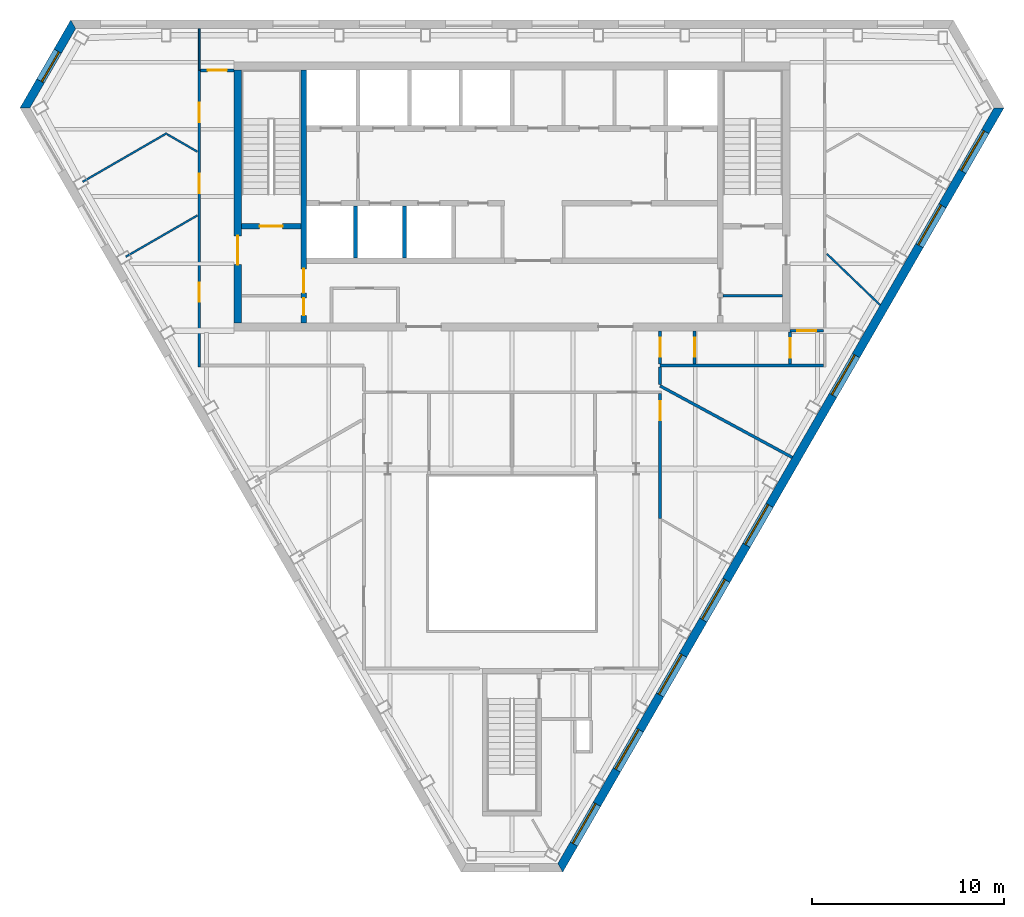
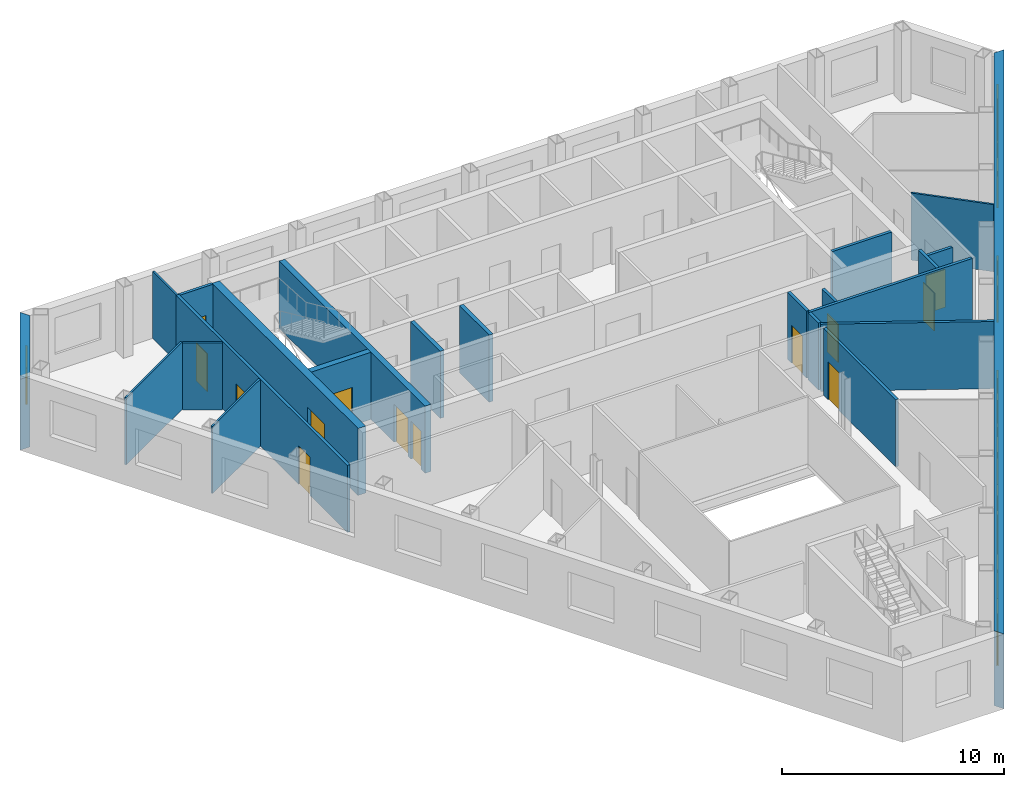
# One storey, part 5 of 10: 23 walls, 13 doors, 9 windows, 22 openings.
"""IFC4 building model written with IfcOpenShell, lengths in metres."""

import ifcopenshell
import ifcopenshell.guid

model = None  # the IFC model being written
_history = None  # IfcOwnerHistory: only IFC2X3 demands one
_inside = {}  # id of a spatial element -> (the spatial element, [elements in it])
_under = {}  # id of a project, library or spatial element -> (it, [spatial elements below it])
_declared = {}  # id of a project -> (the project, [libraries it declares])
_typed = {}  # id of a type object -> (the type object, [elements of that type])
_made_of = {}  # id of a material, layer set ... -> (it, [elements and type objects made of it])


def new_model(schema):
    """Start an empty IFC model of exactly this schema.

    Asked for "IFC4X3", IfcOpenShell would pick the latest addendum, in which some entities
    have other attributes; the version numbers below select the first issue.
    IFC2X3 requires an IfcOwnerHistory on every rooted entity: one is made here for all.
    """
    global model, _history
    if schema == "IFC4X3":
        model = ifcopenshell.file(schema_version=(4, 3, 0, 0))
    else:
        model = ifcopenshell.file(schema=schema)
    _inside.clear()
    _under.clear()
    _declared.clear()
    _typed.clear()
    _made_of.clear()
    _history = None
    if model.schema == "IFC2X3":
        org = make("IfcOrganization", Name="unknown")
        user = make(
            "IfcPersonAndOrganization",
            ThePerson=make("IfcPerson", FamilyName="unknown"),
            TheOrganization=org,
        )
        app = make(
            "IfcApplication",
            ApplicationDeveloper=org,
            Version="unknown",
            ApplicationFullName="unknown",
            ApplicationIdentifier="unknown",
        )
        _history = make(
            "IfcOwnerHistory",
            OwningUser=user,
            OwningApplication=app,
            ChangeAction="ADDED",
            CreationDate=0,
        )
    return model


def make(cls, **values):
    """One entity of the class cls with the attributes given. An attribute that is None is left unset."""
    return model.create_entity(
        cls, **{name: value for name, value in values.items() if value is not None}
    )


def rooted(cls, **values):
    """An entity with a GlobalId (a new one), such as an element, a storey or a relation."""
    return make(cls, GlobalId=ifcopenshell.guid.new(), OwnerHistory=_history, **values)


def si_unit(unit_type, name, prefix=None):
    """IfcSIUnit, for example si_unit("LENGTHUNIT", "METRE", prefix="MILLI")."""
    return make("IfcSIUnit", UnitType=unit_type, Prefix=prefix, Name=name)


def assignment(units):
    """IfcUnitAssignment: the units of a project."""
    return None if units is None else make("IfcUnitAssignment", Units=units)


def point(xyz):
    """IfcCartesianPoint."""
    return None if xyz is None else make("IfcCartesianPoint", Coordinates=xyz)


def direction(xyz):
    """IfcDirection."""
    return None if xyz is None else make("IfcDirection", DirectionRatios=xyz)


def frame(location, z_axis=None, x_axis=None):
    """IfcAxis2Placement3D, a coordinate frame: its origin and axes. An axis left out is left unset."""
    return make(
        "IfcAxis2Placement3D",
        Location=point(location),
        Axis=direction(z_axis),
        RefDirection=direction(x_axis),
    )


def frame_2d(location, x_axis=None):
    """IfcAxis2Placement2D, a coordinate frame in the plane: its origin and x axis."""
    return make(
        "IfcAxis2Placement2D", Location=point(location), RefDirection=direction(x_axis)
    )


def origin():
    """The frame at (0, 0, 0) with its axes left unset."""
    return frame((0.0, 0.0, 0.0))


def place(relative_to, where):
    """IfcLocalPlacement: puts the frame where relative to a parent placement (None: the world)."""
    return make(
        "IfcLocalPlacement", PlacementRelTo=relative_to, RelativePlacement=where
    )


def context(
    kind, dimensions, precision=None, world=None, true_north=None, identifier=None
):
    """IfcGeometricRepresentationContext, for example the 3D "Model" context."""
    return make(
        "IfcGeometricRepresentationContext",
        ContextIdentifier=identifier,
        ContextType=kind,
        CoordinateSpaceDimension=dimensions,
        Precision=precision,
        WorldCoordinateSystem=world,
        TrueNorth=true_north,
    )


def subcontext(parent, identifier, kind, view, scale=None):
    """IfcGeometricRepresentationSubContext, for example "Body" below "Model"."""
    return make(
        "IfcGeometricRepresentationSubContext",
        ContextIdentifier=identifier,
        ContextType=kind,
        ParentContext=parent,
        TargetScale=scale,
        TargetView=view,
    )


def project(units=None, contexts=None):
    """IfcProject with its units and contexts."""
    return rooted(
        "IfcProject",
        Name="project",
        RepresentationContexts=contexts,
        UnitsInContext=assignment(units),
    )


def spatial(cls, under=None, at=None, **own):
    """A site, building, storey or space (cls), placed at a placement, below another one or the project."""
    s = rooted(cls, ObjectPlacement=at, **own)
    if under is not None:
        _under.setdefault(under.id(), (under, []))[1].append(s)
    return s


def polyline(points):
    """IfcPolyline through the points."""
    return make("IfcPolyline", Points=[point(p) for p in points])


def profile(cls, at=None, kind="AREA", **sizes):
    """A parametric profile (cls). Its sizes go by their IFC names, for example OverallWidth=200.0."""
    return make(cls, ProfileType=kind, Position=at, **sizes)


def rectangle(**sizes):
    """IfcRectangleProfileDef."""
    return profile("IfcRectangleProfileDef", **sizes)


def outline(outer, holes=None, kind="AREA"):
    """IfcArbitraryClosedProfileDef: a profile drawn as a closed curve; with holes, ...WithVoids."""
    if holes is None:
        return make("IfcArbitraryClosedProfileDef", ProfileType=kind, OuterCurve=outer)
    return make(
        "IfcArbitraryProfileDefWithVoids",
        ProfileType=kind,
        OuterCurve=outer,
        InnerCurves=holes,
    )


def extrude(swept, where, along, depth):
    """IfcExtrudedAreaSolid: the profile swept, set in the frame where, extruded along a direction by depth."""
    return make(
        "IfcExtrudedAreaSolid",
        SweptArea=swept,
        Position=where,
        ExtrudedDirection=direction(along),
        Depth=depth,
    )


def shape(context_of_items, identifier, shape_type, items):
    """IfcShapeRepresentation: the items that make up one representation, for example the "Body"."""
    return make(
        "IfcShapeRepresentation",
        ContextOfItems=context_of_items,
        RepresentationIdentifier=identifier,
        RepresentationType=shape_type,
        Items=items,
    )


def material(Name=None, Category=None):
    """IfcMaterial."""
    return make("IfcMaterial", Name=Name, Category=Category)


def layer(
    of_material, thickness, ventilated=None, Name=None, Category=None, Priority=None
):
    """IfcMaterialLayer: one layer of a wall or slab, of a material (None: an air gap)."""
    return make(
        "IfcMaterialLayer",
        Material=of_material,
        LayerThickness=thickness,
        IsVentilated=ventilated,
        Name=Name,
        Category=Category,
        Priority=Priority,
    )


def layer_set(layers, Name=None):
    """IfcMaterialLayerSet."""
    return make("IfcMaterialLayerSet", MaterialLayers=layers, LayerSetName=Name)


def made_of(thing, what):
    """Note that an element or type object is made of a material, layer set ...; save() writes the relation."""
    if what is not None:
        _made_of.setdefault(what.id(), (what, []))[1].append(thing)
    return thing


def type_object(cls, material=None, **own):
    """A type object (cls), such as IfcWallType, which elements share."""
    return made_of(rooted(cls, **own), material)


def element(
    cls,
    number,
    at=None,
    inside=None,
    cuts=None,
    type_object=None,
    material=None,
    context=None,
    identifier="Body",
    shape_type=None,
    held_by="IfcProductDefinitionShape",
    body=None,
    shapes=None,
    **own,
):
    """One element of the class cls, such as IfcWall. Its Tag is "e" and its number.

    at: its placement. inside: the storey or other place that contains it. cuts: it is an
    opening in that element (IfcRelVoidsElement). A single representation is given by context,
    identifier, shape_type and body (its items); several are given by shapes. held_by: the class
    of the entity that holds the representations. save() writes the other relations.
    """
    e = rooted(cls, Tag="e%d" % number, ObjectPlacement=at, **own)
    if body is not None:
        shapes = [shape(context, identifier, shape_type, body)]
    if shapes is not None:
        e.Representation = make(held_by, Representations=shapes)
    if inside is not None:
        _inside.setdefault(inside.id(), (inside, []))[1].append(e)
    if cuts is not None:
        rooted(
            "IfcRelVoidsElement", RelatingBuildingElement=cuts, RelatedOpeningElement=e
        )
    if type_object is not None:
        _typed.setdefault(type_object.id(), (type_object, []))[1].append(e)
    return made_of(e, material)


def fill(opening, filler):
    """IfcRelFillsElement: the door or window that sits in an opening."""
    return rooted(
        "IfcRelFillsElement",
        RelatingOpeningElement=opening,
        RelatedBuildingElement=filler,
    )


def aggregate(whole, parts):
    """IfcRelAggregates: a whole, such as a stair, and the parts it consists of."""
    return rooted("IfcRelAggregates", RelatingObject=whole, RelatedObjects=parts)


def save(model, path):
    """Write the relations noted so far, then the file.

    IfcRelAggregates (storeys below a building ...), IfcRelContainedInSpatialStructure (elements
    in a storey), IfcRelDefinesByType, IfcRelAssociatesMaterial and IfcRelDeclares: one each for
    every whole, place, type object, material and project.
    """
    for whole, parts in _under.values():
        aggregate(whole, parts)
    for where, things in _inside.values():
        rooted(
            "IfcRelContainedInSpatialStructure",
            RelatedElements=things,
            RelatingStructure=where,
        )
    for kind, things in _typed.values():
        rooted("IfcRelDefinesByType", RelatedObjects=things, RelatingType=kind)
    for what, things in _made_of.values():
        rooted("IfcRelAssociatesMaterial", RelatedObjects=things, RelatingMaterial=what)
    for by, libraries in _declared.values():
        rooted("IfcRelDeclares", RelatingContext=by, RelatedDefinitions=libraries)
    model.write(path)


model = new_model("IFC4")

# Units and contexts
model_context = context("Model", 3, precision=1e-05, world=origin(), true_north=direction((0.0, 1.0)))
body_context = subcontext(model_context, "Body", "Model", "MODEL_VIEW")
ifc_project = project(units=[si_unit("LENGTHUNIT", "METRE"), si_unit("AREAUNIT", "SQUARE_METRE"), si_unit("VOLUMEUNIT", "CUBIC_METRE"), si_unit("PLANEANGLEUNIT", "RADIAN"), si_unit("MASSUNIT", "GRAM", prefix="KILO")], contexts=[model_context])

# Site, building, storey
site_placement = place(None, origin())
site = spatial("IfcSite", under=ifc_project, at=site_placement, CompositionType="ELEMENT")
building_placement = place(site_placement, origin())
building = spatial("IfcBuilding", under=site, at=building_placement, Name="Njiva Tower", CompositionType="ELEMENT")
storey_placement = place(building_placement, frame((0.0, 0.0, 288.3)))
storey = spatial("IfcBuildingStorey", under=building, at=storey_placement, Name="L66", CompositionType="ELEMENT", Elevation=288.3)

# Wall
ifc_material_1 = material(Name="Blockwork", Category="masonry")
ifc_layer_1 = layer(ifc_material_1, 0.15)
ifc_layer_set_1 = layer_set([ifc_layer_1], Name="Blockwork")
wall_type_1 = type_object("IfcWallType", Name="WT1 Compartment partition 150", PredefinedType="PARTITIONING", material=ifc_layer_set_1)
wall_1_placement = place(storey_placement, frame((11.0, 5.825, 0.0), z_axis=(0.0, 0.0, 1.0), x_axis=(1.0, 0.0, 0.0)))
element("IfcWall", 1, at=wall_1_placement, inside=storey, type_object=wall_type_1, Name="Room wall B", PredefinedType="PARTITIONING", context=body_context, shape_type="SweptSolid", body=[
    extrude(rectangle(XDim=3.1, YDim=0.15, at=frame_2d((1.55, 0.0))), origin(), (0.0, 0.0, 1.0), 3.7),
])

# Wall, openings, doors
ifc_material_2 = material(Name="Concrete C40/50", Category="concrete")
ifc_layer_2 = layer(ifc_material_2, 0.3)
ifc_layer_set_2 = layer_set([ifc_layer_2], Name="Concrete C40/50")
wall_type_2 = type_object("IfcWallType", Name="WT10 Stair enclosure wall 300", PredefinedType="SHEAR", material=ifc_layer_set_2)
wall_2_placement = place(storey_placement, frame((-10.85, 4.4, 0.0), z_axis=(0.0, 0.0, 1.0), x_axis=(0.0, 1.0, 0.0)))
wall_2 = element("IfcWall", 2, at=wall_2_placement, inside=storey, type_object=wall_type_2, Name="Stair wall west inner", PredefinedType="SHEAR", context=body_context, shape_type="SweptSolid", body=[
    extrude(rectangle(XDim=13.2, YDim=0.3, at=frame_2d((6.6, 0.0))), origin(), (0.0, 0.0, 1.0), 3.7),
])
opening_1_placement = place(wall_2_placement, frame((1.575, 0.0, 0.0)))
opening_1 = element("IfcOpeningElement", 3, at=opening_1_placement, cuts=wall_2, Name="Opening S21-D916", PredefinedType="OPENING", context=body_context, shape_type="SweptSolid", body=[
    extrude(rectangle(XDim=1.25, YDim=2.1, at=frame_2d((0.625, 1.05))), frame((0.0, 0.16, 0.0), z_axis=(0.0, -1.0, 0.0), x_axis=(1.0, 0.0, 0.0)), (0.0, 0.0, 1.0), 0.32),
])
opening_2_placement = place(wall_2_placement, frame((0.4, 0.0, 0.0)))
opening_2 = element("IfcOpeningElement", 4, at=opening_2_placement, cuts=wall_2, Name="Opening S21-D918", PredefinedType="OPENING", context=body_context, shape_type="SweptSolid", body=[
    extrude(rectangle(XDim=0.9, YDim=2.1, at=frame_2d((0.45, 1.05))), frame((0.0, 0.16, 0.0), z_axis=(0.0, -1.0, 0.0), x_axis=(1.0, 0.0, 0.0)), (0.0, 0.0, 1.0), 0.32),
])
ifc_material_3 = material(Name="Steel door, painted", Category="steel")
door_type_1 = type_object("IfcDoorType", Name="D13 Steel door 900x2100", OperationType="SINGLE_SWING_LEFT", PredefinedType="DOOR", material=ifc_material_3)
door_1_placement = place(opening_2_placement, origin())
door_1 = element("IfcDoor", 5, at=door_1_placement, inside=storey, type_object=door_type_1, Name="Quiet room door", OperationType="SINGLE_SWING_RIGHT", OverallHeight=2.1, OverallWidth=0.9, PredefinedType="DOOR", context=body_context, shape_type="SweptSolid", body=[
    extrude(rectangle(XDim=0.9, YDim=2.1, at=frame_2d((0.45, 1.05))), frame((0.0, 0.025, 0.0), z_axis=(0.0, -1.0, 0.0), x_axis=(1.0, 0.0, 0.0)), (0.0, 0.0, 1.0), 0.05),
])
fill(opening_2, door_1)
ifc_material_4 = material(Name="Glazed steel fire door", Category="steel")
door_type_2 = type_object("IfcDoorType", Name="D8 Vestibule corridor door 1250x2100 glazed", OperationType="SINGLE_SWING_LEFT", PredefinedType="DOOR", material=ifc_material_4)
door_2_placement = place(opening_1_placement, origin())
door_2 = element("IfcDoor", 6, at=door_2_placement, inside=storey, type_object=door_type_2, Name="Stair vestibule corridor door", OperationType="SINGLE_SWING_LEFT", OverallHeight=2.1, OverallWidth=1.25, PredefinedType="DOOR", context=body_context, shape_type="SweptSolid", body=[
    extrude(rectangle(XDim=1.25, YDim=2.1, at=frame_2d((0.625, 1.05))), frame((0.0, 0.025, 0.0), z_axis=(0.0, -1.0, 0.0), x_axis=(1.0, 0.0, 0.0)), (0.0, 0.0, 1.0), 0.05),
])
fill(opening_1, door_2)

# Wall, opening, door
wall_3_placement = place(storey_placement, frame((-14.1, 9.45, 0.0), z_axis=(0.0, 0.0, 1.0), x_axis=(1.0, 0.0, 0.0)))
wall_3 = element("IfcWall", 7, at=wall_3_placement, inside=storey, type_object=wall_type_2, Name="Stair A south wall", PredefinedType="SHEAR", context=body_context, shape_type="SweptSolid", body=[
    extrude(rectangle(XDim=3.1, YDim=0.3, at=frame_2d((1.55, 0.0))), origin(), (0.0, 0.0, 1.0), 3.7),
])
opening_3_placement = place(wall_3_placement, frame((0.95, 0.0, 0.0)))
opening_3 = element("IfcOpeningElement", 8, at=opening_3_placement, cuts=wall_3, Name="Opening S21-D915", PredefinedType="OPENING", context=body_context, shape_type="SweptSolid", body=[
    extrude(rectangle(XDim=1.2, YDim=2.1, at=frame_2d((0.6, 1.05))), frame((0.0, 0.16, 0.0), z_axis=(0.0, -1.0, 0.0), x_axis=(1.0, 0.0, 0.0)), (0.0, 0.0, 1.0), 0.32),
])
door_type_3 = type_object("IfcDoorType", Name="D7 Stair vestibule door 1200x2100 glazed", OperationType="SINGLE_SWING_LEFT", PredefinedType="DOOR", material=ifc_material_4)
door_3_placement = place(opening_3_placement, origin())
door_3 = element("IfcDoor", 9, at=door_3_placement, inside=storey, type_object=door_type_3, Name="Stair A door", OperationType="SINGLE_SWING_LEFT", OverallHeight=2.1, OverallWidth=1.2, PredefinedType="DOOR", context=body_context, shape_type="SweptSolid", body=[
    extrude(rectangle(XDim=1.2, YDim=2.1, at=frame_2d((0.6, 1.05))), frame((0.0, 0.025, 0.0), z_axis=(0.0, -1.0, 0.0), x_axis=(1.0, 0.0, 0.0)), (0.0, 0.0, 1.0), 0.05),
])
fill(opening_3, door_3)

ifc_material_5 = material(Name="Concrete C60/75", Category="concrete")
ifc_layer_3 = layer(ifc_material_5, 0.4)
ifc_layer_set_3 = layer_set([ifc_layer_3], Name="Concrete C60/75")
wall_type_3 = type_object("IfcWallType", Name="WT11 Core wall 400", PredefinedType="SHEAR", material=ifc_layer_set_3)
wall_4_placement = place(storey_placement, frame((-14.3, 4.4, 0.0), z_axis=(0.0, 0.0, 1.0), x_axis=(0.0, 1.0, 0.0)))
wall_4 = element("IfcWall", 10, at=wall_4_placement, inside=storey, type_object=wall_type_3, Name="Core wall west", PredefinedType="SHEAR", context=body_context, shape_type="SweptSolid", body=[
    extrude(rectangle(XDim=13.2, YDim=0.4, at=frame_2d((6.6, 0.0))), origin(), (0.0, 0.0, 1.0), 3.7),
])
opening_4_placement = place(wall_4_placement, frame((3.05, 0.0, 0.0)))
opening_4 = element("IfcOpeningElement", 11, at=opening_4_placement, cuts=wall_4, Name="Opening S21-D917", PredefinedType="OPENING", context=body_context, shape_type="SweptSolid", body=[
    extrude(rectangle(XDim=1.5, YDim=2.1, at=frame_2d((0.75, 1.05))), frame((0.0, 0.21, 0.0), z_axis=(0.0, -1.0, 0.0), x_axis=(1.0, 0.0, 0.0)), (0.0, 0.0, 1.0), 0.42),
])
door_type_4 = type_object("IfcDoorType", Name="D10 Exit door double 1500x2100 glazed", OperationType="DOUBLE_DOOR_SINGLE_SWING", PredefinedType="DOOR", material=ifc_material_4)
door_4_placement = place(opening_4_placement, origin())
door_4 = element("IfcDoor", 12, at=door_4_placement, inside=storey, type_object=door_type_4, Name="Stair A corridor door", OperationType="DOUBLE_DOOR_SINGLE_SWING", OverallHeight=2.1, OverallWidth=1.5, PredefinedType="DOOR", context=body_context, shape_type="SweptSolid", body=[
    extrude(rectangle(XDim=1.5, YDim=2.1, at=frame_2d((0.75, 1.05))), frame((0.0, 0.025, 0.0), z_axis=(0.0, -1.0, 0.0), x_axis=(1.0, 0.0, 0.0)), (0.0, 0.0, 1.0), 0.05),
])
fill(opening_4, door_4)

# Walls
ifc_material_6 = material(Name="Gypsum board on steel studs", Category="gypsum")
ifc_layer_4 = layer(ifc_material_6, 0.1)
ifc_layer_set_4 = layer_set([ifc_layer_4], Name="Gypsum board on steel studs")
wall_type_4 = type_object("IfcWallType", Name="WT20 Gypsum partition 100", PredefinedType="PARTITIONING", material=ifc_layer_set_4)
wall_5_placement = place(storey_placement, frame((-22.381, 11.765, 0.0), z_axis=(0.0, 0.0, 1.0), x_axis=(0.86601491352, 0.500018169231, 0.0)))
element("IfcWall", 13, at=wall_5_placement, inside=storey, type_object=wall_type_4, Name="Partition S21-P001", PredefinedType="PARTITIONING", context=body_context, shape_type="SweptSolid", body=[
    extrude(rectangle(XDim=5.0738, YDim=0.1, at=frame_2d((2.5369, 0.0))), origin(), (0.0, 0.0, 1.0), 3.7),
])
wall_6_placement = place(storey_placement, frame((-20.127, 7.862, 0.0), z_axis=(0.0, 0.0, 1.0), x_axis=(0.866104329613, 0.499863271531, 0.0)))
element("IfcWall", 14, at=wall_6_placement, inside=storey, type_object=wall_type_4, Name="Partition S21-P002", PredefinedType="PARTITIONING", context=body_context, shape_type="SweptSolid", body=[
    extrude(rectangle(XDim=4.3032, YDim=0.1, at=frame_2d((2.1516, 0.0))), origin(), (0.0, 0.0, 1.0), 3.7),
])
wall_7_placement = place(storey_placement, frame((-17.971, 14.243, 0.0), z_axis=(0.0, 0.0, 1.0), x_axis=(0.86602952684, -0.49999285859, 0.0)))
element("IfcWall", 15, at=wall_7_placement, inside=storey, type_object=wall_type_4, Name="Partition S21-P003", PredefinedType="PARTITIONING", context=body_context, shape_type="SweptSolid", body=[
    extrude(rectangle(XDim=1.814, YDim=0.1, at=frame_2d((0.907, 0.0))), origin(), (0.0, 0.0, 1.0), 3.7),
])
wall_8_placement = place(storey_placement, frame((-16.3, 17.588, 0.0), z_axis=(0.0, 0.0, 1.0), x_axis=(0.0, 1.0, 0.0)))
element("IfcWall", 16, at=wall_8_placement, inside=storey, type_object=wall_type_4, Name="Partition S21-P005", PredefinedType="PARTITIONING", context=body_context, shape_type="SweptSolid", body=[
    extrude(rectangle(XDim=2.162, YDim=0.1, at=frame_2d((1.081, 0.0))), origin(), (0.0, 0.0, 1.0), 3.7),
])
wall_9_placement = place(storey_placement, frame((16.41, 8.012, 0.0), z_axis=(0.0, 0.0, 1.0), x_axis=(0.720972589003, -0.692963581948, 0.0)))
element("IfcWall", 17, at=wall_9_placement, inside=storey, type_object=wall_type_4, Name="Partition S21-P035", PredefinedType="PARTITIONING", context=body_context, shape_type="SweptSolid", body=[
    extrude(rectangle(XDim=3.8559, YDim=0.1, at=frame_2d((1.928, 0.0))), origin(), (0.0, 0.0, 1.0), 3.7),
])

# Wall, openings, doors
ifc_layer_5 = layer(ifc_material_6, 0.15)
ifc_layer_set_5 = layer_set([ifc_layer_5], Name="Gypsum board on steel studs")
wall_type_5 = type_object("IfcWallType", Name="WT21 Compartment wall 150", PredefinedType="PARTITIONING", material=ifc_layer_set_5)
wall_10_placement = place(storey_placement, frame((-16.3, 2.125, 0.0), z_axis=(0.0, 0.0, 1.0), x_axis=(0.0, 1.0, 0.0)))
wall_10 = element("IfcWall", 18, at=wall_10_placement, inside=storey, type_object=wall_type_5, Name="Partition S21-P004", PredefinedType="PARTITIONING", context=body_context, shape_type="SweptSolid", body=[
    extrude(rectangle(XDim=15.463, YDim=0.15, at=frame_2d((7.7315, 0.0))), origin(), (0.0, 0.0, 1.0), 3.7),
])
opening_5_placement = place(wall_10_placement, frame((3.385, 0.0, 0.0)))
opening_5 = element("IfcOpeningElement", 19, at=opening_5_placement, cuts=wall_10, Name="Opening S21-D001", PredefinedType="OPENING", context=body_context, shape_type="SweptSolid", body=[
    extrude(rectangle(XDim=1.0, YDim=2.1, at=frame_2d((0.5, 1.05))), frame((0.0, 0.085, 0.0), z_axis=(0.0, -1.0, 0.0), x_axis=(1.0, 0.0, 0.0)), (0.0, 0.0, 1.0), 0.17),
])
opening_6_placement = place(wall_10_placement, frame((9.05, 0.0, 0.0)))
opening_6 = element("IfcOpeningElement", 20, at=opening_6_placement, cuts=wall_10, Name="Opening S21-D002", PredefinedType="OPENING", context=body_context, shape_type="SweptSolid", body=[
    extrude(rectangle(XDim=1.0, YDim=2.1, at=frame_2d((0.5, 1.05))), frame((0.0, 0.085, 0.0), z_axis=(0.0, -1.0, 0.0), x_axis=(1.0, 0.0, 0.0)), (0.0, 0.0, 1.0), 0.17),
])
opening_7_placement = place(wall_10_placement, frame((12.758, 0.0, 0.0)))
opening_7 = element("IfcOpeningElement", 21, at=opening_7_placement, cuts=wall_10, Name="Opening S21-D003", PredefinedType="OPENING", context=body_context, shape_type="SweptSolid", body=[
    extrude(rectangle(XDim=1.0, YDim=2.1, at=frame_2d((0.5, 1.05))), frame((0.0, 0.085, 0.0), z_axis=(0.0, -1.0, 0.0), x_axis=(1.0, 0.0, 0.0)), (0.0, 0.0, 1.0), 0.17),
])
ifc_material_7 = material(Name="Steel fire door set", Category="steel")
door_type_5 = type_object("IfcDoorType", Name="D37 Fire door 1000x2100", OperationType="SINGLE_SWING_LEFT", PredefinedType="DOOR", material=ifc_material_7)
door_5_placement = place(opening_5_placement, origin())
door_5 = element("IfcDoor", 22, at=door_5_placement, inside=storey, type_object=door_type_5, Name="Door S21-D001", OperationType="SINGLE_SWING_RIGHT", OverallHeight=2.1, OverallWidth=1.0, PredefinedType="DOOR", context=body_context, shape_type="SweptSolid", body=[
    extrude(rectangle(XDim=1.0, YDim=2.1, at=frame_2d((0.5, 1.05))), frame((0.0, 0.025, 0.0), z_axis=(0.0, -1.0, 0.0), x_axis=(1.0, 0.0, 0.0)), (0.0, 0.0, 1.0), 0.05),
])
fill(opening_5, door_5)
door_6_placement = place(opening_6_placement, origin())
door_6 = element("IfcDoor", 23, at=door_6_placement, inside=storey, type_object=door_type_5, Name="Door S21-D002", OperationType="SINGLE_SWING_LEFT", OverallHeight=2.1, OverallWidth=1.0, PredefinedType="DOOR", context=body_context, shape_type="SweptSolid", body=[
    extrude(rectangle(XDim=1.0, YDim=2.1, at=frame_2d((0.5, 1.05))), frame((0.0, 0.025, 0.0), z_axis=(0.0, -1.0, 0.0), x_axis=(1.0, 0.0, 0.0)), (0.0, 0.0, 1.0), 0.05),
])
fill(opening_6, door_6)
door_7_placement = place(opening_7_placement, origin())
door_7 = element("IfcDoor", 24, at=door_7_placement, inside=storey, type_object=door_type_5, Name="Door S21-D003", OperationType="SINGLE_SWING_LEFT", OverallHeight=2.1, OverallWidth=1.0, PredefinedType="DOOR", context=body_context, shape_type="SweptSolid", body=[
    extrude(rectangle(XDim=1.0, YDim=2.1, at=frame_2d((0.5, 1.05))), frame((0.0, 0.025, 0.0), z_axis=(0.0, -1.0, 0.0), x_axis=(1.0, 0.0, 0.0)), (0.0, 0.0, 1.0), 0.05),
])
fill(opening_7, door_7)

# Wall, opening, door
wall_11_placement = place(storey_placement, frame((-16.225, 17.576, 0.0), z_axis=(0.0, 0.0, 1.0), x_axis=(1.0, 0.0, 0.0)))
wall_11 = element("IfcWall", 25, at=wall_11_placement, inside=storey, type_object=wall_type_5, Name="Partition S21-P007", PredefinedType="PARTITIONING", context=body_context, shape_type="SweptSolid", body=[
    extrude(rectangle(XDim=1.725, YDim=0.15, at=frame_2d((0.8625, 0.0))), origin(), (0.0, 0.0, 1.0), 3.7),
])
opening_8_placement = place(wall_11_placement, frame((0.363, 0.0, 0.0)))
opening_8 = element("IfcOpeningElement", 26, at=opening_8_placement, cuts=wall_11, Name="Opening S21-D004", PredefinedType="OPENING", context=body_context, shape_type="SweptSolid", body=[
    extrude(rectangle(XDim=1.0, YDim=2.1, at=frame_2d((0.5, 1.05))), frame((0.0, 0.085, 0.0), z_axis=(0.0, -1.0, 0.0), x_axis=(1.0, 0.0, 0.0)), (0.0, 0.0, 1.0), 0.17),
])
door_8_placement = place(opening_8_placement, origin())
door_8 = element("IfcDoor", 27, at=door_8_placement, inside=storey, type_object=door_type_5, Name="Door S21-D004", OperationType="SINGLE_SWING_LEFT", OverallHeight=2.1, OverallWidth=1.0, PredefinedType="DOOR", context=body_context, shape_type="SweptSolid", body=[
    extrude(rectangle(XDim=1.0, YDim=2.1, at=frame_2d((0.5, 1.05))), frame((0.0, 0.025, 0.0), z_axis=(0.0, -1.0, 0.0), x_axis=(1.0, 0.0, 0.0)), (0.0, 0.0, 1.0), 0.05),
])
fill(opening_8, door_8)

# Walls
wall_12_placement = place(storey_placement, frame((7.72, 1.127, 0.0), z_axis=(0.0, 0.0, 1.0), x_axis=(0.879447920674, -0.475995120586, 0.0)))
element("IfcWall", 28, at=wall_12_placement, inside=storey, type_object=wall_type_5, Name="Partition S21-P021", PredefinedType="PARTITIONING", context=body_context, shape_type="SweptSolid", body=[
    extrude(rectangle(XDim=7.8299, YDim=0.15, at=frame_2d((3.915, 0.0))), origin(), (0.0, 0.0, 1.0), 3.7),
])
wall_13_placement = place(storey_placement, frame((7.72, 1.193, 0.0), z_axis=(0.0, 0.0, 1.0), x_axis=(0.0, 1.0, 0.0)))
element("IfcWall", 29, at=wall_13_placement, inside=storey, type_object=wall_type_5, Name="Partition S21-P022", PredefinedType="PARTITIONING", context=body_context, shape_type="SweptSolid", body=[
    extrude(rectangle(XDim=0.932, YDim=0.15, at=frame_2d((0.466, 0.0))), origin(), (0.0, 0.0, 1.0), 3.7),
])
wall_14_placement = place(storey_placement, frame((7.72, 2.2, 0.0), z_axis=(0.0, 0.0, 1.0), x_axis=(1.0, 0.0, 0.0)))
element("IfcWall", 30, at=wall_14_placement, inside=storey, type_object=wall_type_5, Name="Partition S21-P023", PredefinedType="PARTITIONING", context=body_context, shape_type="SweptSolid", body=[
    extrude(rectangle(XDim=8.505, YDim=0.15, at=frame_2d((4.2525, 0.0))), origin(), (0.0, 0.0, 1.0), 3.7),
])

# Wall, opening, door
wall_15_placement = place(storey_placement, frame((7.72, 2.275, 0.0), z_axis=(0.0, 0.0, 1.0), x_axis=(0.0, 1.0, 0.0)))
wall_15 = element("IfcWall", 31, at=wall_15_placement, inside=storey, type_object=wall_type_5, Name="Partition S21-P024", PredefinedType="PARTITIONING", context=body_context, shape_type="SweptSolid", body=[
    extrude(rectangle(XDim=1.725, YDim=0.15, at=frame_2d((0.8625, 0.0))), origin(), (0.0, 0.0, 1.0), 3.7),
])
opening_9_placement = place(wall_15_placement, frame((0.362, 0.0, 0.0)))
opening_9 = element("IfcOpeningElement", 32, at=opening_9_placement, cuts=wall_15, Name="Opening S21-D013", PredefinedType="OPENING", context=body_context, shape_type="SweptSolid", body=[
    extrude(rectangle(XDim=1.0, YDim=2.1, at=frame_2d((0.5, 1.05))), frame((0.0, 0.085, 0.0), z_axis=(0.0, -1.0, 0.0), x_axis=(1.0, 0.0, 0.0)), (0.0, 0.0, 1.0), 0.17),
])
door_9_placement = place(opening_9_placement, origin())
door_9 = element("IfcDoor", 33, at=door_9_placement, inside=storey, type_object=door_type_5, Name="Door S21-D013", OperationType="SINGLE_SWING_LEFT", OverallHeight=2.1, OverallWidth=1.0, PredefinedType="DOOR", context=body_context, shape_type="SweptSolid", body=[
    extrude(rectangle(XDim=1.0, YDim=2.1, at=frame_2d((0.5, 1.05))), frame((0.0, 0.025, 0.0), z_axis=(0.0, -1.0, 0.0), x_axis=(1.0, 0.0, 0.0)), (0.0, 0.0, 1.0), 0.05),
])
fill(opening_9, door_9)

wall_16_placement = place(storey_placement, frame((7.72, 0.725, 0.0), z_axis=(0.0, 0.0, 1.0), x_axis=(0.000153657036, -0.999999988195, 0.0)))
wall_16 = element("IfcWall", 34, at=wall_16_placement, inside=storey, type_object=wall_type_5, Name="Partition S21-P025", PredefinedType="PARTITIONING", context=body_context, shape_type="SweptSolid", body=[
    extrude(rectangle(XDim=6.508, YDim=0.15, at=frame_2d((3.254, 0.0))), origin(), (0.0, 0.0, 1.0), 3.7),
])
opening_10_placement = place(wall_16_placement, frame((0.4, 0.0, 0.0)))
opening_10 = element("IfcOpeningElement", 35, at=opening_10_placement, cuts=wall_16, Name="Opening S21-D014", PredefinedType="OPENING", context=body_context, shape_type="SweptSolid", body=[
    extrude(rectangle(XDim=1.0, YDim=2.1, at=frame_2d((0.5, 1.05))), frame((0.0, 0.085, 0.0), z_axis=(0.0, -1.0, 0.0), x_axis=(1.0, 0.0, 0.0)), (0.0, 0.0, 1.0), 0.17),
])
door_10_placement = place(opening_10_placement, origin())
door_10 = element("IfcDoor", 36, at=door_10_placement, inside=storey, type_object=door_type_5, Name="Door S21-D014", OperationType="SINGLE_SWING_RIGHT", OverallHeight=2.1, OverallWidth=1.0, PredefinedType="DOOR", context=body_context, shape_type="SweptSolid", body=[
    extrude(rectangle(XDim=1.0, YDim=2.1, at=frame_2d((0.5, 1.05))), frame((0.0, 0.025, 0.0), z_axis=(0.0, -1.0, 0.0), x_axis=(1.0, 0.0, 0.0)), (0.0, 0.0, 1.0), 0.05),
])
fill(opening_10, door_10)

wall_17_placement = place(storey_placement, frame((9.52, 2.275, 0.0), z_axis=(0.0, 0.0, 1.0), x_axis=(0.0, 1.0, 0.0)))
wall_17 = element("IfcWall", 37, at=wall_17_placement, inside=storey, type_object=wall_type_5, Name="Partition S21-P028", PredefinedType="PARTITIONING", context=body_context, shape_type="SweptSolid", body=[
    extrude(rectangle(XDim=1.725, YDim=0.15, at=frame_2d((0.8625, 0.0))), origin(), (0.0, 0.0, 1.0), 3.25),
])
opening_11_placement = place(wall_17_placement, frame((0.362, 0.0, 0.0)))
opening_11 = element("IfcOpeningElement", 38, at=opening_11_placement, cuts=wall_17, Name="Opening S21-D015", PredefinedType="OPENING", context=body_context, shape_type="SweptSolid", body=[
    extrude(rectangle(XDim=1.0, YDim=2.1, at=frame_2d((0.5, 1.05))), frame((0.0, 0.085, 0.0), z_axis=(0.0, -1.0, 0.0), x_axis=(1.0, 0.0, 0.0)), (0.0, 0.0, 1.0), 0.17),
])
door_11_placement = place(opening_11_placement, origin())
door_11 = element("IfcDoor", 39, at=door_11_placement, inside=storey, type_object=door_type_5, Name="Door S21-D015", OperationType="SINGLE_SWING_LEFT", OverallHeight=2.1, OverallWidth=1.0, PredefinedType="DOOR", context=body_context, shape_type="SweptSolid", body=[
    extrude(rectangle(XDim=1.0, YDim=2.1, at=frame_2d((0.5, 1.05))), frame((0.0, 0.025, 0.0), z_axis=(0.0, -1.0, 0.0), x_axis=(1.0, 0.0, 0.0)), (0.0, 0.0, 1.0), 0.05),
])
fill(opening_11, door_11)

wall_18_placement = place(storey_placement, frame((14.5, 2.275, 0.0), z_axis=(0.0, 0.0, 1.0), x_axis=(0.0, 1.0, 0.0)))
wall_18 = element("IfcWall", 40, at=wall_18_placement, inside=storey, type_object=wall_type_5, Name="Partition S21-P030", PredefinedType="PARTITIONING", context=body_context, shape_type="SweptSolid", body=[
    extrude(rectangle(XDim=1.65, YDim=0.15, at=frame_2d((0.825, 0.0))), origin(), (0.0, 0.0, 1.0), 3.7),
])
opening_12_placement = place(wall_18_placement, frame((0.325, 0.0, 0.0)))
opening_12 = element("IfcOpeningElement", 41, at=opening_12_placement, cuts=wall_18, Name="Opening S21-D016", PredefinedType="OPENING", context=body_context, shape_type="SweptSolid", body=[
    extrude(rectangle(XDim=1.0, YDim=2.1, at=frame_2d((0.5, 1.05))), frame((0.0, 0.085, 0.0), z_axis=(0.0, -1.0, 0.0), x_axis=(1.0, 0.0, 0.0)), (0.0, 0.0, 1.0), 0.17),
])
door_12_placement = place(opening_12_placement, origin())
door_12 = element("IfcDoor", 42, at=door_12_placement, inside=storey, type_object=door_type_5, Name="Door S21-D016", OperationType="SINGLE_SWING_LEFT", OverallHeight=2.1, OverallWidth=1.0, PredefinedType="DOOR", context=body_context, shape_type="SweptSolid", body=[
    extrude(rectangle(XDim=1.0, YDim=2.1, at=frame_2d((0.5, 1.05))), frame((0.0, 0.025, 0.0), z_axis=(0.0, -1.0, 0.0), x_axis=(1.0, 0.0, 0.0)), (0.0, 0.0, 1.0), 0.05),
])
fill(opening_12, door_12)

wall_19_placement = place(storey_placement, frame((14.5, 4.0, 0.0), z_axis=(0.0, 0.0, 1.0), x_axis=(1.0, 0.0, 0.0)))
wall_19 = element("IfcWall", 43, at=wall_19_placement, inside=storey, type_object=wall_type_5, Name="Partition S21-P031", PredefinedType="PARTITIONING", context=body_context, shape_type="SweptSolid", body=[
    extrude(rectangle(XDim=1.725, YDim=0.15, at=frame_2d((0.8625, 0.0))), origin(), (0.0, 0.0, 1.0), 3.21),
])
opening_13_placement = place(wall_19_placement, frame((0.363, 0.0, 0.0)))
opening_13 = element("IfcOpeningElement", 44, at=opening_13_placement, cuts=wall_19, Name="Opening S21-D017", PredefinedType="OPENING", context=body_context, shape_type="SweptSolid", body=[
    extrude(rectangle(XDim=1.0, YDim=2.1, at=frame_2d((0.5, 1.05))), frame((0.0, 0.085, 0.0), z_axis=(0.0, -1.0, 0.0), x_axis=(1.0, 0.0, 0.0)), (0.0, 0.0, 1.0), 0.17),
])
door_13_placement = place(opening_13_placement, origin())
door_13 = element("IfcDoor", 45, at=door_13_placement, inside=storey, type_object=door_type_5, Name="Door S21-D017", OperationType="SINGLE_SWING_LEFT", OverallHeight=2.1, OverallWidth=1.0, PredefinedType="DOOR", context=body_context, shape_type="SweptSolid", body=[
    extrude(rectangle(XDim=1.0, YDim=2.1, at=frame_2d((0.5, 1.05))), frame((0.0, 0.025, 0.0), z_axis=(0.0, -1.0, 0.0), x_axis=(1.0, 0.0, 0.0)), (0.0, 0.0, 1.0), 0.05),
])
fill(opening_13, door_13)

# Walls
ifc_layer_6 = layer(ifc_material_2, 0.2)
ifc_layer_set_6 = layer_set([ifc_layer_6], Name="Concrete C40/50")
wall_type_6 = type_object("IfcWallType", Name="WT6 Lift shaft wall 200", PredefinedType="SHEAR", material=ifc_layer_set_6)
for number, where, z_axis, x_axis, name in (
    (46, (-8.15, 7.8, 0.0), (0.0, 0.0, 1.0), (0.0, 1.0, 0.0), "Shaft wall CS1"),
    (47, (-5.6, 7.8, 0.0), (0.0, 0.0, 1.0), (0.0, 1.0, 0.0), "Shaft wall CS2"),
):
    element("IfcWall", number, at=place(storey_placement, frame(where, z_axis=z_axis, x_axis=x_axis)), inside=storey, type_object=wall_type_6, Name=name, PredefinedType="SHEAR", context=body_context, shape_type="SweptSolid", body=[
        extrude(rectangle(XDim=2.7, YDim=0.2, at=frame_2d((1.35, 0.0))), origin(), (0.0, 0.0, 1.0), 3.7),
    ])

# Wall, openings, windows
ifc_material_8 = material(Name="Brick masonry", Category="masonry")
ifc_layer_7 = layer(ifc_material_8, 0.45)
ifc_layer_set_7 = layer_set([ifc_layer_7], Name="Brick masonry")
wall_type_7 = type_object("IfcWallType", Name="WT90 Brick pier and spandrel wall 450", PredefinedType="SOLIDWALL", material=ifc_layer_set_7)
wall_20_placement = place(storey_placement, frame((2.5151, -23.9934, -0.4), z_axis=(0.0, 0.0, 1.0), x_axis=(0.500000711659, 0.866024992908, 0.0)))
wall_20 = element("IfcWall", 48, at=wall_20_placement, inside=storey, type_object=wall_type_7, Name="Facade wall SE", PredefinedType="SOLIDWALL", context=body_context, shape_type="SweptSolid", body=[
    extrude(outline(polyline([(-0.1299, -0.225), (45.87, -0.225), (45.6102, 0.225), (0.1299, 0.225), (-0.1299, -0.225)])), origin(), (0.0, 0.0, 1.0), 4.12),
])
opening_14_placement = place(wall_20_placement, frame((1.4242, 0.0, 1.3)))
opening_14 = element("IfcOpeningElement", 49, at=opening_14_placement, cuts=wall_20, Name="Opening S21-W20", PredefinedType="OPENING", context=body_context, shape_type="SweptSolid", body=[
    extrude(rectangle(XDim=2.4, YDim=2.0, at=frame_2d((1.2, 1.0))), frame((0.0, 0.235, 0.0), z_axis=(0.0, -1.0, 0.0), x_axis=(1.0, 0.0, 0.0)), (0.0, 0.0, 1.0), 0.47),
])
opening_15_placement = place(wall_20_placement, frame((5.8934, 0.0, 1.3)))
opening_15 = element("IfcOpeningElement", 50, at=opening_15_placement, cuts=wall_20, Name="Opening S21-W21", PredefinedType="OPENING", context=body_context, shape_type="SweptSolid", body=[
    extrude(rectangle(XDim=2.4, YDim=2.0, at=frame_2d((1.2, 1.0))), frame((0.0, 0.235, 0.0), z_axis=(0.0, -1.0, 0.0), x_axis=(1.0, 0.0, 0.0)), (0.0, 0.0, 1.0), 0.47),
])
opening_16_placement = place(wall_20_placement, frame((10.401, 0.0, 1.3)))
opening_16 = element("IfcOpeningElement", 51, at=opening_16_placement, cuts=wall_20, Name="Opening S21-W22", PredefinedType="OPENING", context=body_context, shape_type="SweptSolid", body=[
    extrude(rectangle(XDim=2.4, YDim=2.0, at=frame_2d((1.2, 1.0))), frame((0.0, 0.235, 0.0), z_axis=(0.0, -1.0, 0.0), x_axis=(1.0, 0.0, 0.0)), (0.0, 0.0, 1.0), 0.47),
])
opening_17_placement = place(wall_20_placement, frame((14.9087, 0.0, 1.3)))
opening_17 = element("IfcOpeningElement", 52, at=opening_17_placement, cuts=wall_20, Name="Opening S21-W23", PredefinedType="OPENING", context=body_context, shape_type="SweptSolid", body=[
    extrude(rectangle(XDim=2.4, YDim=2.0, at=frame_2d((1.2, 1.0))), frame((0.0, 0.235, 0.0), z_axis=(0.0, -1.0, 0.0), x_axis=(1.0, 0.0, 0.0)), (0.0, 0.0, 1.0), 0.47),
])
opening_18_placement = place(wall_20_placement, frame((19.4163, 0.0, 1.3)))
opening_18 = element("IfcOpeningElement", 53, at=opening_18_placement, cuts=wall_20, Name="Opening S21-W24", PredefinedType="OPENING", context=body_context, shape_type="SweptSolid", body=[
    extrude(rectangle(XDim=2.4, YDim=2.0, at=frame_2d((1.2, 1.0))), frame((0.0, 0.235, 0.0), z_axis=(0.0, -1.0, 0.0), x_axis=(1.0, 0.0, 0.0)), (0.0, 0.0, 1.0), 0.47),
])
opening_19_placement = place(wall_20_placement, frame((28.4315, 0.0, 1.3)))
opening_19 = element("IfcOpeningElement", 54, at=opening_19_placement, cuts=wall_20, Name="Opening S21-W25", PredefinedType="OPENING", context=body_context, shape_type="SweptSolid", body=[
    extrude(rectangle(XDim=2.4, YDim=2.0, at=frame_2d((1.2, 1.0))), frame((0.0, 0.235, 0.0), z_axis=(0.0, -1.0, 0.0), x_axis=(1.0, 0.0, 0.0)), (0.0, 0.0, 1.0), 0.47),
])
opening_20_placement = place(wall_20_placement, frame((37.4468, 0.0, 1.3)))
opening_20 = element("IfcOpeningElement", 55, at=opening_20_placement, cuts=wall_20, Name="Opening S21-W26", PredefinedType="OPENING", context=body_context, shape_type="SweptSolid", body=[
    extrude(rectangle(XDim=2.4, YDim=2.0, at=frame_2d((1.2, 1.0))), frame((0.0, 0.235, 0.0), z_axis=(0.0, -1.0, 0.0), x_axis=(1.0, 0.0, 0.0)), (0.0, 0.0, 1.0), 0.47),
])
opening_21_placement = place(wall_20_placement, frame((41.916, 0.0, 1.3)))
opening_21 = element("IfcOpeningElement", 56, at=opening_21_placement, cuts=wall_20, Name="Opening S21-W27", PredefinedType="OPENING", context=body_context, shape_type="SweptSolid", body=[
    extrude(rectangle(XDim=2.4, YDim=2.0, at=frame_2d((1.2, 1.0))), frame((0.0, 0.235, 0.0), z_axis=(0.0, -1.0, 0.0), x_axis=(1.0, 0.0, 0.0)), (0.0, 0.0, 1.0), 0.47),
])
ifc_material_9 = material(Name="Clear glazing in aluminium frame", Category="aluminium")
window_type_1 = type_object("IfcWindowType", Name="W90 Deep-set window 2400x2000", PartitioningType="SINGLE_PANEL", PredefinedType="WINDOW", material=ifc_material_9)
window_1_placement = place(opening_14_placement, origin())
window_1 = element("IfcWindow", 57, at=window_1_placement, inside=storey, type_object=window_type_1, Name="Window", OverallHeight=2.0, OverallWidth=2.4, PartitioningType="SINGLE_PANEL", PredefinedType="WINDOW", context=body_context, shape_type="SweptSolid", body=[
    extrude(rectangle(XDim=2.4, YDim=2.0, at=frame_2d((1.2, 1.0))), frame((0.0, 0.105, 0.0), z_axis=(0.0, -1.0, 0.0), x_axis=(1.0, 0.0, 0.0)), (0.0, 0.0, 1.0), 0.06),
])
fill(opening_14, window_1)
window_2_placement = place(opening_15_placement, origin())
window_2 = element("IfcWindow", 58, at=window_2_placement, inside=storey, type_object=window_type_1, Name="Window", OverallHeight=2.0, OverallWidth=2.4, PartitioningType="SINGLE_PANEL", PredefinedType="WINDOW", context=body_context, shape_type="SweptSolid", body=[
    extrude(rectangle(XDim=2.4, YDim=2.0, at=frame_2d((1.2, 1.0))), frame((0.0, 0.105, 0.0), z_axis=(0.0, -1.0, 0.0), x_axis=(1.0, 0.0, 0.0)), (0.0, 0.0, 1.0), 0.06),
])
fill(opening_15, window_2)
window_3_placement = place(opening_16_placement, origin())
window_3 = element("IfcWindow", 59, at=window_3_placement, inside=storey, type_object=window_type_1, Name="Window", OverallHeight=2.0, OverallWidth=2.4, PartitioningType="SINGLE_PANEL", PredefinedType="WINDOW", context=body_context, shape_type="SweptSolid", body=[
    extrude(rectangle(XDim=2.4, YDim=2.0, at=frame_2d((1.2, 1.0))), frame((0.0, 0.105, 0.0), z_axis=(0.0, -1.0, 0.0), x_axis=(1.0, 0.0, 0.0)), (0.0, 0.0, 1.0), 0.06),
])
fill(opening_16, window_3)
window_4_placement = place(opening_17_placement, origin())
window_4 = element("IfcWindow", 60, at=window_4_placement, inside=storey, type_object=window_type_1, Name="Window", OverallHeight=2.0, OverallWidth=2.4, PartitioningType="SINGLE_PANEL", PredefinedType="WINDOW", context=body_context, shape_type="SweptSolid", body=[
    extrude(rectangle(XDim=2.4, YDim=2.0, at=frame_2d((1.2, 1.0))), frame((0.0, 0.105, 0.0), z_axis=(0.0, -1.0, 0.0), x_axis=(1.0, 0.0, 0.0)), (0.0, 0.0, 1.0), 0.06),
])
fill(opening_17, window_4)
window_5_placement = place(opening_18_placement, origin())
window_5 = element("IfcWindow", 61, at=window_5_placement, inside=storey, type_object=window_type_1, Name="Window", OverallHeight=2.0, OverallWidth=2.4, PartitioningType="SINGLE_PANEL", PredefinedType="WINDOW", context=body_context, shape_type="SweptSolid", body=[
    extrude(rectangle(XDim=2.4, YDim=2.0, at=frame_2d((1.2, 1.0))), frame((0.0, 0.105, 0.0), z_axis=(0.0, -1.0, 0.0), x_axis=(1.0, 0.0, 0.0)), (0.0, 0.0, 1.0), 0.06),
])
fill(opening_18, window_5)
window_6_placement = place(opening_19_placement, origin())
window_6 = element("IfcWindow", 62, at=window_6_placement, inside=storey, type_object=window_type_1, Name="Window", OverallHeight=2.0, OverallWidth=2.4, PartitioningType="SINGLE_PANEL", PredefinedType="WINDOW", context=body_context, shape_type="SweptSolid", body=[
    extrude(rectangle(XDim=2.4, YDim=2.0, at=frame_2d((1.2, 1.0))), frame((0.0, 0.105, 0.0), z_axis=(0.0, -1.0, 0.0), x_axis=(1.0, 0.0, 0.0)), (0.0, 0.0, 1.0), 0.06),
])
fill(opening_19, window_6)
window_7_placement = place(opening_20_placement, origin())
window_7 = element("IfcWindow", 63, at=window_7_placement, inside=storey, type_object=window_type_1, Name="Window", OverallHeight=2.0, OverallWidth=2.4, PartitioningType="SINGLE_PANEL", PredefinedType="WINDOW", context=body_context, shape_type="SweptSolid", body=[
    extrude(rectangle(XDim=2.4, YDim=2.0, at=frame_2d((1.2, 1.0))), frame((0.0, 0.105, 0.0), z_axis=(0.0, -1.0, 0.0), x_axis=(1.0, 0.0, 0.0)), (0.0, 0.0, 1.0), 0.06),
])
fill(opening_20, window_7)
window_8_placement = place(opening_21_placement, origin())
window_8 = element("IfcWindow", 64, at=window_8_placement, inside=storey, type_object=window_type_1, Name="Window", OverallHeight=2.0, OverallWidth=2.4, PartitioningType="SINGLE_PANEL", PredefinedType="WINDOW", context=body_context, shape_type="SweptSolid", body=[
    extrude(rectangle(XDim=2.4, YDim=2.0, at=frame_2d((1.2, 1.0))), frame((0.0, 0.105, 0.0), z_axis=(0.0, -1.0, 0.0), x_axis=(1.0, 0.0, 0.0)), (0.0, 0.0, 1.0), 0.06),
])
fill(opening_21, window_8)

# Wall, opening, window
ifc_material_10 = material(Name="Brick masonry, buff", Category="masonry")
ifc_layer_8 = layer(ifc_material_10, 0.45)
ifc_layer_set_8 = layer_set([ifc_layer_8], Name="Brick masonry, buff")
wall_type_8 = type_object("IfcWallType", Name="WT94 Brick pier and spandrel wall 450, buff", PredefinedType="SOLIDWALL", material=ifc_layer_set_8)
wall_21_placement = place(storey_placement, frame((-22.8701, 19.975, -0.4), z_axis=(0.0, 0.0, 1.0), x_axis=(-0.49999836324, -0.866026348766, 0.0)))
wall_21 = element("IfcWall", 65, at=wall_21_placement, inside=storey, type_object=wall_type_8, Name="Facade wall NW", PredefinedType="SOLIDWALL", context=body_context, shape_type="SweptSolid", body=[
    extrude(outline(polyline([(-0.1299, -0.225), (5.1601, -0.225), (4.9003, 0.225), (0.1299, 0.225), (-0.1299, -0.225)])), origin(), (0.0, 0.0, 1.0), 3.9),
])
opening_22_placement = place(wall_21_placement, frame((1.6151, 0.0, 1.3)))
opening_22 = element("IfcOpeningElement", 66, at=opening_22_placement, cuts=wall_21, Name="Opening S21-W08", PredefinedType="OPENING", context=body_context, shape_type="SweptSolid", body=[
    extrude(rectangle(XDim=1.8, YDim=2.0, at=frame_2d((0.9, 1.0))), frame((0.0, 0.235, 0.0), z_axis=(0.0, -1.0, 0.0), x_axis=(1.0, 0.0, 0.0)), (0.0, 0.0, 1.0), 0.47),
])
window_type_2 = type_object("IfcWindowType", Name="W94 Deep-set window 1800x2000", PartitioningType="SINGLE_PANEL", PredefinedType="WINDOW", material=ifc_material_9)
window_9_placement = place(opening_22_placement, origin())
window_9 = element("IfcWindow", 67, at=window_9_placement, inside=storey, type_object=window_type_2, Name="Window", OverallHeight=2.0, OverallWidth=1.8, PartitioningType="SINGLE_PANEL", PredefinedType="WINDOW", context=body_context, shape_type="SweptSolid", body=[
    extrude(rectangle(XDim=1.8, YDim=2.0, at=frame_2d((0.9, 1.0))), frame((0.0, 0.105, 0.0), z_axis=(0.0, -1.0, 0.0), x_axis=(1.0, 0.0, 0.0)), (0.0, 0.0, 1.0), 0.06),
])
fill(opening_22, window_9)

save(model, "model.ifc")
